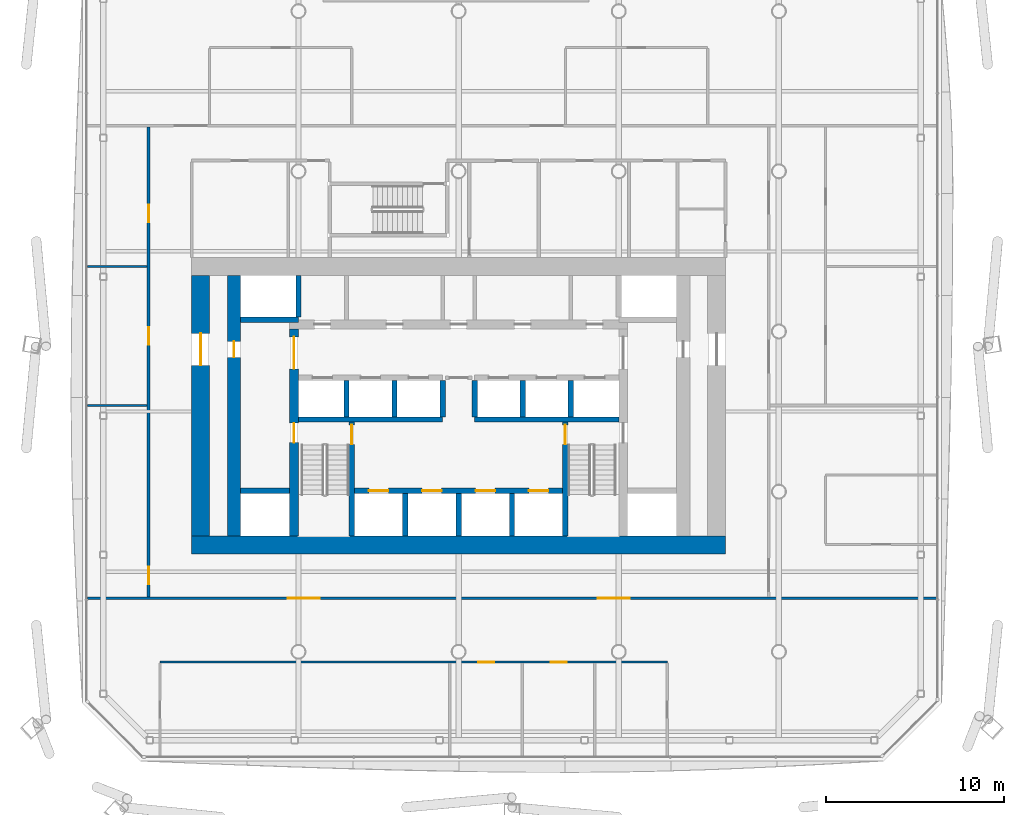
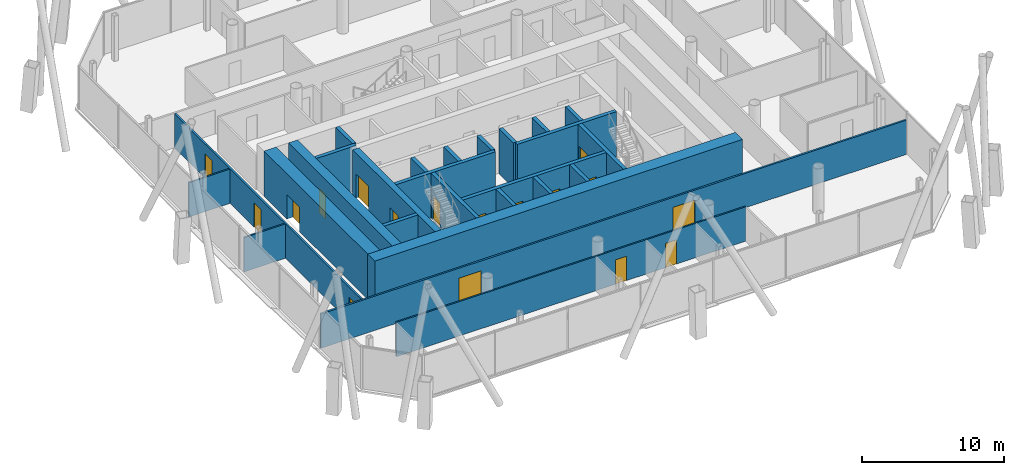
# One storey, part 14 of 22: 26 walls, 17 doors, 17 openings.
"""IFC4 building model written with IfcOpenShell, lengths in metres."""

from ifc_helpers import new_model, si_unit, direction, frame, frame_2d, origin, place, context, subcontext, project, spatial, rectangle, extrude, material, layer, layer_set, type_object, element, fill, save


model = new_model("IFC4")

# Units and contexts
model_context = context("Model", 3, precision=1e-05, world=origin(), true_north=direction((0.0, 1.0)))
body_context = subcontext(model_context, "Body", "Model", "MODEL_VIEW")
ifc_project = project(units=[si_unit("LENGTHUNIT", "METRE"), si_unit("AREAUNIT", "SQUARE_METRE"), si_unit("VOLUMEUNIT", "CUBIC_METRE"), si_unit("PLANEANGLEUNIT", "RADIAN"), si_unit("MASSUNIT", "GRAM", prefix="KILO")], contexts=[model_context])

# Site, building, storey
site_placement = place(None, origin())
site = spatial("IfcSite", under=ifc_project, at=site_placement, CompositionType="ELEMENT")
building_placement = place(site_placement, origin())
building = spatial("IfcBuilding", under=site, at=building_placement, Name="Tskaro Facet Tower", CompositionType="ELEMENT")
storey_placement = place(building_placement, frame((0.0, 0.0, 97.199951171875)))
storey = spatial("IfcBuildingStorey", under=building, at=storey_placement, Name="L23", CompositionType="ELEMENT", Elevation=97.199951171875)

# Wall
ifc_material_1 = material(Name="Concrete C60/75", Category="concrete")
ifc_layer_1 = layer(ifc_material_1, 0.300048828125, Name="Concrete C60/75")
ifc_layer_set_1 = layer_set([ifc_layer_1], Name="Concrete C60/75")
wall_type_1 = type_object("IfcWallType", Name="CORE-SHAFT", PredefinedType="SHEAR", material=ifc_layer_set_1)
wall_1_placement = place(storey_placement, frame((-12.25, -8.949951171875, 0.0), z_axis=(0.0, 0.0, 1.0), x_axis=(1.0, 0.0, 0.0)))
element("IfcWall", 1, at=wall_1_placement, inside=storey, type_object=wall_type_1, Name="Shaft wall W004", PredefinedType="SHEAR", context=body_context, shape_type="SweptSolid", body=[
    extrude(rectangle(XDim=2.75, YDim=0.300048828125, at=frame_2d((1.375, 0.0))), origin(), (0.0, 0.0, 1.0), 3.900146484375),
])

# Wall, openings, doors
wall_2_placement = place(storey_placement, frame((-5.85009765625, -8.949951171875, 0.0), z_axis=(0.0, 0.0, 1.0), x_axis=(1.0, 0.0, 0.0)))
wall_2 = element("IfcWall", 2, at=wall_2_placement, inside=storey, type_object=wall_type_1, Name="Shaft wall W005", PredefinedType="SHEAR", context=body_context, shape_type="SweptSolid", body=[
    extrude(rectangle(XDim=11.7001953125, YDim=0.300048828125, at=frame_2d((5.85009765625, 0.0))), origin(), (0.0, 0.0, 1.0), 3.900146484375),
])
opening_1_placement = place(wall_2_placement, frame((0.800048828125, 0.0, 0.0)))
opening_1 = element("IfcOpeningElement", 3, at=opening_1_placement, cuts=wall_2, Name="Opening LD-FF1", PredefinedType="OPENING", context=body_context, shape_type="SweptSolid", body=[
    extrude(rectangle(XDim=1.10009765625, YDim=2.10009765625, at=frame_2d((0.550048828125, 1.050048828125))), frame((0.0, 0.159912109375, 0.0), z_axis=(0.0, -1.0, 0.0), x_axis=(1.0, 0.0, 0.0)), (0.0, 0.0, 1.0), 0.320068359375),
])
opening_2_placement = place(wall_2_placement, frame((3.800048828125, 0.0, 0.0)))
opening_2 = element("IfcOpeningElement", 4, at=opening_2_placement, cuts=wall_2, Name="Opening LD-FF2", PredefinedType="OPENING", context=body_context, shape_type="SweptSolid", body=[
    extrude(rectangle(XDim=1.10009765625, YDim=2.10009765625, at=frame_2d((0.550048828125, 1.050048828125))), frame((0.0, 0.159912109375, 0.0), z_axis=(0.0, -1.0, 0.0), x_axis=(1.0, 0.0, 0.0)), (0.0, 0.0, 1.0), 0.320068359375),
])
opening_3_placement = place(wall_2_placement, frame((6.800048828125, 0.0, 0.0)))
opening_3 = element("IfcOpeningElement", 5, at=opening_3_placement, cuts=wall_2, Name="Opening LD-SV1", PredefinedType="OPENING", context=body_context, shape_type="SweptSolid", body=[
    extrude(rectangle(XDim=1.10009765625, YDim=2.10009765625, at=frame_2d((0.550048828125, 1.050048828125))), frame((0.0, 0.159912109375, 0.0), z_axis=(0.0, -1.0, 0.0), x_axis=(1.0, 0.0, 0.0)), (0.0, 0.0, 1.0), 0.320068359375),
])
opening_4_placement = place(wall_2_placement, frame((9.800048828125, 0.0, 0.0)))
opening_4 = element("IfcOpeningElement", 6, at=opening_4_placement, cuts=wall_2, Name="Opening LD-SV2", PredefinedType="OPENING", context=body_context, shape_type="SweptSolid", body=[
    extrude(rectangle(XDim=1.10009765625, YDim=2.10009765625, at=frame_2d((0.550048828125, 1.050048828125))), frame((0.0, 0.159912109375, 0.0), z_axis=(0.0, -1.0, 0.0), x_axis=(1.0, 0.0, 0.0)), (0.0, 0.0, 1.0), 0.320068359375),
])
ifc_material_2 = material(Name="Stainless steel", Category="steel")
door_type_1 = type_object("IfcDoorType", Name="D-LANDING", OperationType="NOTDEFINED", PredefinedType="DOOR", material=ifc_material_2)
door_1_placement = place(opening_1_placement, origin())
door_1 = element("IfcDoor", 7, at=door_1_placement, inside=storey, type_object=door_type_1, Name="Landing door FF1", OperationType="DOUBLE_DOOR_SLIDING", OverallHeight=2.10009765625, OverallWidth=1.10009765625, PredefinedType="DOOR", context=body_context, shape_type="SweptSolid", body=[
    extrude(rectangle(XDim=1.10009765625, YDim=2.10009765625, at=frame_2d((0.550048828125, 1.050048828125))), frame((0.0, 0.02490234375, 0.0), z_axis=(0.0, -1.0, 0.0), x_axis=(1.0, 0.0, 0.0)), (0.0, 0.0, 1.0), 0.050048828125),
])
fill(opening_1, door_1)
door_2_placement = place(opening_2_placement, origin())
door_2 = element("IfcDoor", 8, at=door_2_placement, inside=storey, type_object=door_type_1, Name="Landing door FF2", OperationType="DOUBLE_DOOR_SLIDING", OverallHeight=2.10009765625, OverallWidth=1.10009765625, PredefinedType="DOOR", context=body_context, shape_type="SweptSolid", body=[
    extrude(rectangle(XDim=1.10009765625, YDim=2.10009765625, at=frame_2d((0.550048828125, 1.050048828125))), frame((0.0, 0.02490234375, 0.0), z_axis=(0.0, -1.0, 0.0), x_axis=(1.0, 0.0, 0.0)), (0.0, 0.0, 1.0), 0.050048828125),
])
fill(opening_2, door_2)
door_3_placement = place(opening_3_placement, origin())
door_3 = element("IfcDoor", 9, at=door_3_placement, inside=storey, type_object=door_type_1, Name="Landing door SV1", OperationType="DOUBLE_DOOR_SLIDING", OverallHeight=2.10009765625, OverallWidth=1.10009765625, PredefinedType="DOOR", context=body_context, shape_type="SweptSolid", body=[
    extrude(rectangle(XDim=1.10009765625, YDim=2.10009765625, at=frame_2d((0.550048828125, 1.050048828125))), frame((0.0, 0.02490234375, 0.0), z_axis=(0.0, -1.0, 0.0), x_axis=(1.0, 0.0, 0.0)), (0.0, 0.0, 1.0), 0.050048828125),
])
fill(opening_3, door_3)
door_4_placement = place(opening_4_placement, origin())
door_4 = element("IfcDoor", 10, at=door_4_placement, inside=storey, type_object=door_type_1, Name="Landing door SV2", OperationType="DOUBLE_DOOR_SLIDING", OverallHeight=2.10009765625, OverallWidth=1.10009765625, PredefinedType="DOOR", context=body_context, shape_type="SweptSolid", body=[
    extrude(rectangle(XDim=1.10009765625, YDim=2.10009765625, at=frame_2d((0.550048828125, 1.050048828125))), frame((0.0, 0.02490234375, 0.0), z_axis=(0.0, -1.0, 0.0), x_axis=(1.0, 0.0, 0.0)), (0.0, 0.0, 1.0), 0.050048828125),
])
fill(opening_4, door_4)

# Walls
for number, where, z_axis, x_axis, name in (
    (11, (-9.0, -4.949951171875, 0.0), (0.0, 0.0, 1.0), (1.0, 0.0, 0.0), "Shaft wall W008"),
    (12, (0.89990234375, -4.949951171875, 0.0), (0.0, 0.0, 1.0), (1.0, 0.0, 0.0), "Shaft wall W009"),
):
    element("IfcWall", number, at=place(storey_placement, frame(where, z_axis=z_axis, x_axis=x_axis)), inside=storey, type_object=wall_type_1, Name=name, PredefinedType="SHEAR", context=body_context, shape_type="SweptSolid", body=[
        extrude(rectangle(XDim=8.10009765625, YDim=0.300048828125, at=frame_2d((4.050048828125, 0.0))), origin(), (0.0, 0.0, 1.0), 3.900146484375),
    ])
wall_3_placement = place(storey_placement, frame((-9.0, 0.64990234375, 0.0), z_axis=(0.0, 0.0, 1.0), x_axis=(-1.0, 0.0, 0.0)))
element("IfcWall", 13, at=wall_3_placement, inside=storey, type_object=wall_type_1, Name="Shaft wall W015", PredefinedType="SHEAR", context=body_context, shape_type="SweptSolid", body=[
    extrude(rectangle(XDim=3.25, YDim=0.300048828125, at=frame_2d((1.625, 0.0))), origin(), (0.0, 0.0, 1.0), 3.900146484375),
])
wall_4_placement = place(storey_placement, frame((-9.0, 0.800048828125, 0.0), z_axis=(0.0, 0.0, 1.0), x_axis=(0.0, 1.0, 0.0)))
element("IfcWall", 14, at=wall_4_placement, inside=storey, type_object=wall_type_1, Name="Shaft wall W034", PredefinedType="SHEAR", context=body_context, shape_type="SweptSolid", body=[
    extrude(rectangle(XDim=2.349853515625, YDim=0.300048828125, at=frame_2d((1.1748046875, 0.0))), origin(), (0.0, 0.0, 1.0), 3.900146484375),
])
wall_5_placement = place(storey_placement, frame((-6.300048828125, -4.800048828125, 0.0), z_axis=(0.0, 0.0, 1.0), x_axis=(0.0, 1.0, 0.0)))
element("IfcWall", 15, at=wall_5_placement, inside=storey, type_object=wall_type_1, Name="Shaft wall W039", PredefinedType="SHEAR", context=body_context, shape_type="SweptSolid", body=[
    extrude(rectangle(XDim=2.050048828125, YDim=0.300048828125, at=frame_2d((1.02490234375, 0.0))), origin(), (0.0, 0.0, 1.0), 3.900146484375),
])

# Wall, opening, door
wall_6_placement = place(storey_placement, frame((-6.0, -11.5, 0.0), z_axis=(0.0, 0.0, 1.0), x_axis=(0.0, 1.0, 0.0)))
wall_6 = element("IfcWall", 16, at=wall_6_placement, inside=storey, type_object=wall_type_1, Name="Shaft wall W041", PredefinedType="SHEAR", context=body_context, shape_type="SweptSolid", body=[
    extrude(rectangle(XDim=6.39990234375, YDim=0.300048828125, at=frame_2d((3.199951171875, 0.0))), origin(), (0.0, 0.0, 1.0), 3.900146484375),
])
opening_5_placement = place(wall_6_placement, frame((5.14990234375, 0.0, 0.0)))
opening_5 = element("IfcOpeningElement", 17, at=opening_5_placement, cuts=wall_6, Name="Opening ST-1-D1", PredefinedType="OPENING", context=body_context, shape_type="SweptSolid", body=[
    extrude(rectangle(XDim=1.10009765625, YDim=2.10009765625, at=frame_2d((0.550048828125, 1.050048828125))), frame((0.0, 0.159912109375, 0.0), z_axis=(0.0, -1.0, 0.0), x_axis=(1.0, 0.0, 0.0)), (0.0, 0.0, 1.0), 0.320068359375),
])
ifc_material_3 = material(Name="Steel", Category="steel")
door_type_2 = type_object("IfcDoorType", Name="D-STAIR", OperationType="NOTDEFINED", PredefinedType="DOOR", material=ifc_material_3)
door_5_placement = place(opening_5_placement, origin())
door_5 = element("IfcDoor", 18, at=door_5_placement, inside=storey, type_object=door_type_2, Name="Stair door 1", OperationType="SINGLE_SWING_LEFT", OverallHeight=2.10009765625, OverallWidth=1.10009765625, PredefinedType="DOOR", context=body_context, shape_type="SweptSolid", body=[
    extrude(rectangle(XDim=1.10009765625, YDim=2.10009765625, at=frame_2d((0.550048828125, 1.050048828125))), frame((0.0, 0.02490234375, 0.0), z_axis=(0.0, -1.0, 0.0), x_axis=(1.0, 0.0, 0.0)), (0.0, 0.0, 1.0), 0.050048828125),
])
fill(opening_5, door_5)

# Walls
wall_7_placement = place(storey_placement, frame((-3.60009765625, -4.800048828125, 0.0), z_axis=(0.0, 0.0, 1.0), x_axis=(0.0, 1.0, 0.0)))
element("IfcWall", 19, at=wall_7_placement, inside=storey, type_object=wall_type_1, Name="Shaft wall W043", PredefinedType="SHEAR", context=body_context, shape_type="SweptSolid", body=[
    extrude(rectangle(XDim=2.050048828125, YDim=0.300048828125, at=frame_2d((1.02490234375, 0.0))), origin(), (0.0, 0.0, 1.0), 3.900146484375),
])
wall_8_placement = place(storey_placement, frame((-3.0, -11.5, 0.0), z_axis=(0.0, 0.0, 1.0), x_axis=(0.0, 1.0, 0.0)))
element("IfcWall", 20, at=wall_8_placement, inside=storey, type_object=wall_type_1, Name="Shaft wall W044", PredefinedType="SHEAR", context=body_context, shape_type="SweptSolid", body=[
    extrude(rectangle(XDim=2.39990234375, YDim=0.300048828125, at=frame_2d((1.199951171875, 0.0))), origin(), (0.0, 0.0, 1.0), 3.900146484375),
])
wall_9_placement = place(storey_placement, frame((-0.89990234375, -4.800048828125, 0.0), z_axis=(0.0, 0.0, 1.0), x_axis=(0.0, 1.0, 0.0)))
element("IfcWall", 21, at=wall_9_placement, inside=storey, type_object=wall_type_1, Name="Shaft wall W045", PredefinedType="SHEAR", context=body_context, shape_type="SweptSolid", body=[
    extrude(rectangle(XDim=2.050048828125, YDim=0.300048828125, at=frame_2d((1.02490234375, 0.0))), origin(), (0.0, 0.0, 1.0), 3.900146484375),
])
wall_10_placement = place(storey_placement, frame((0.0, -11.5, 0.0), z_axis=(0.0, 0.0, 1.0), x_axis=(0.0, 1.0, 0.0)))
element("IfcWall", 22, at=wall_10_placement, inside=storey, type_object=wall_type_1, Name="Shaft wall W050", PredefinedType="SHEAR", context=body_context, shape_type="SweptSolid", body=[
    extrude(rectangle(XDim=2.39990234375, YDim=0.300048828125, at=frame_2d((1.199951171875, 0.0))), origin(), (0.0, 0.0, 1.0), 3.900146484375),
])
wall_11_placement = place(storey_placement, frame((0.89990234375, -4.800048828125, 0.0), z_axis=(0.0, 0.0, 1.0), x_axis=(0.0, 1.0, 0.0)))
element("IfcWall", 23, at=wall_11_placement, inside=storey, type_object=wall_type_1, Name="Shaft wall W052", PredefinedType="SHEAR", context=body_context, shape_type="SweptSolid", body=[
    extrude(rectangle(XDim=2.050048828125, YDim=0.300048828125, at=frame_2d((1.02490234375, 0.0))), origin(), (0.0, 0.0, 1.0), 3.900146484375),
])
wall_12_placement = place(storey_placement, frame((3.0, -11.5, 0.0), z_axis=(0.0, 0.0, 1.0), x_axis=(0.0, 1.0, 0.0)))
element("IfcWall", 24, at=wall_12_placement, inside=storey, type_object=wall_type_1, Name="Shaft wall W054", PredefinedType="SHEAR", context=body_context, shape_type="SweptSolid", body=[
    extrude(rectangle(XDim=2.39990234375, YDim=0.300048828125, at=frame_2d((1.199951171875, 0.0))), origin(), (0.0, 0.0, 1.0), 3.900146484375),
])
wall_13_placement = place(storey_placement, frame((3.60009765625, -4.800048828125, 0.0), z_axis=(0.0, 0.0, 1.0), x_axis=(0.0, 1.0, 0.0)))
element("IfcWall", 25, at=wall_13_placement, inside=storey, type_object=wall_type_1, Name="Shaft wall W056", PredefinedType="SHEAR", context=body_context, shape_type="SweptSolid", body=[
    extrude(rectangle(XDim=2.050048828125, YDim=0.300048828125, at=frame_2d((1.02490234375, 0.0))), origin(), (0.0, 0.0, 1.0), 3.900146484375),
])

# Wall, opening, door
wall_14_placement = place(storey_placement, frame((6.0, -5.10009765625, 0.0), z_axis=(0.0, 0.0, 1.0), x_axis=(0.0, -1.0, 0.0)))
wall_14 = element("IfcWall", 26, at=wall_14_placement, inside=storey, type_object=wall_type_1, Name="Shaft wall W058", PredefinedType="SHEAR", context=body_context, shape_type="SweptSolid", body=[
    extrude(rectangle(XDim=6.39990234375, YDim=0.300048828125, at=frame_2d((3.199951171875, 0.0))), origin(), (0.0, 0.0, 1.0), 3.900146484375),
])
opening_6_placement = place(wall_14_placement, frame((0.14990234375, 0.0, 0.0)))
opening_6 = element("IfcOpeningElement", 27, at=opening_6_placement, cuts=wall_14, Name="Opening ST-2-D1", PredefinedType="OPENING", context=body_context, shape_type="SweptSolid", body=[
    extrude(rectangle(XDim=1.10009765625, YDim=2.10009765625, at=frame_2d((0.550048828125, 1.050048828125))), frame((0.0, 0.159912109375, 0.0), z_axis=(0.0, -1.0, 0.0), x_axis=(1.0, 0.0, 0.0)), (0.0, 0.0, 1.0), 0.320068359375),
])
door_6_placement = place(opening_6_placement, origin())
door_6 = element("IfcDoor", 28, at=door_6_placement, inside=storey, type_object=door_type_2, Name="Stair door 2", OperationType="SINGLE_SWING_RIGHT", OverallHeight=2.10009765625, OverallWidth=1.10009765625, PredefinedType="DOOR", context=body_context, shape_type="SweptSolid", body=[
    extrude(rectangle(XDim=1.10009765625, YDim=2.10009765625, at=frame_2d((0.550048828125, 1.050048828125))), frame((0.0, 0.02490234375, 0.0), z_axis=(0.0, -1.0, 0.0), x_axis=(1.0, 0.0, 0.0)), (0.0, 0.0, 1.0), 0.050048828125),
])
fill(opening_6, door_6)

# Walls
wall_15_placement = place(storey_placement, frame((6.300048828125, -4.800048828125, 0.0), z_axis=(0.0, 0.0, 1.0), x_axis=(0.0, 1.0, 0.0)))
element("IfcWall", 29, at=wall_15_placement, inside=storey, type_object=wall_type_1, Name="Shaft wall W060", PredefinedType="SHEAR", context=body_context, shape_type="SweptSolid", body=[
    extrude(rectangle(XDim=2.050048828125, YDim=0.300048828125, at=frame_2d((1.02490234375, 0.0))), origin(), (0.0, 0.0, 1.0), 3.900146484375),
])
ifc_layer_2 = layer(ifc_material_1, 1.0, Name="Concrete C60/75")
ifc_layer_set_2 = layer_set([ifc_layer_2], Name="Concrete C60/75")
wall_type_2 = type_object("IfcWallType", Name="Core wall 1000", PredefinedType="SHEAR", material=ifc_layer_set_2)
wall_16_placement = place(storey_placement, frame((-15.0, -12.0, 0.0), z_axis=(0.0, 0.0, 1.0), x_axis=(1.0, 0.0, 0.0)))
element("IfcWall", 30, at=wall_16_placement, inside=storey, type_object=wall_type_2, Name="Core wall CW-Z1S", PredefinedType="SHEAR", context=body_context, shape_type="SweptSolid", body=[
    extrude(rectangle(XDim=30.0, YDim=1.0, at=frame_2d((15.0, 0.0))), origin(), (0.0, 0.0, 1.0), 3.900146484375),
])

# Wall, opening, door
wall_17_placement = place(storey_placement, frame((-14.5, -11.5, 0.0), z_axis=(0.0, 0.0, 1.0), x_axis=(0.0, 1.0, 0.0)))
wall_17 = element("IfcWall", 31, at=wall_17_placement, inside=storey, type_object=wall_type_2, Name="Core wall CW-Z1W", PredefinedType="SHEAR", context=body_context, shape_type="SweptSolid", body=[
    extrude(rectangle(XDim=14.64990234375, YDim=1.0, at=frame_2d((7.324951171875, 0.0))), origin(), (0.0, 0.0, 1.0), 3.900146484375),
])
opening_7_placement = place(wall_17_placement, frame((9.60009765625, 0.0, 0.0)))
opening_7 = element("IfcOpeningElement", 32, at=opening_7_placement, cuts=wall_17, Name="Opening T7-D15", PredefinedType="OPENING", context=body_context, shape_type="SweptSolid", body=[
    extrude(rectangle(XDim=1.800048828125, YDim=2.10009765625, at=frame_2d((0.89990234375, 1.050048828125))), frame((0.0, 0.510009765625, 0.0), z_axis=(0.0, -1.0, 0.0), x_axis=(1.0, 0.0, 0.0)), (0.0, 0.0, 1.0), 1.02001953125),
])
door_type_3 = type_object("IfcDoorType", Name="D-CORE-PAIR", OperationType="NOTDEFINED", PredefinedType="DOOR", material=ifc_material_3)
door_7_placement = place(opening_7_placement, origin())
door_7 = element("IfcDoor", 33, at=door_7_placement, inside=storey, type_object=door_type_3, Name="Door T7-D15", OperationType="DOUBLE_DOOR_SINGLE_SWING", OverallHeight=2.10009765625, OverallWidth=1.800048828125, PredefinedType="DOOR", context=body_context, shape_type="SweptSolid", body=[
    extrude(rectangle(XDim=1.800048828125, YDim=2.10009765625, at=frame_2d((0.89990234375, 1.050048828125))), frame((0.0, 0.02490234375, 0.0), z_axis=(0.0, -1.0, 0.0), x_axis=(1.0, 0.0, 0.0)), (0.0, 0.0, 1.0), 0.050048828125),
])
fill(opening_7, door_7)

# Wall, openings, doors
ifc_material_4 = material(Name="Concrete C40/50", Category="concrete")
ifc_layer_3 = layer(ifc_material_4, 0.5, Name="Concrete C40/50")
ifc_layer_set_3 = layer_set([ifc_layer_3], Name="Concrete C40/50")
wall_type_3 = type_object("IfcWallType", Name="Core wall 500", PredefinedType="SHEAR", material=ifc_layer_set_3)
wall_18_placement = place(storey_placement, frame((-9.25, -11.5, 0.0), z_axis=(0.0, 0.0, 1.0), x_axis=(0.0, 1.0, 0.0)))
wall_18 = element("IfcWall", 34, at=wall_18_placement, inside=storey, type_object=wall_type_3, Name="Core wall CW-Z3W", PredefinedType="SHEAR", context=body_context, shape_type="SweptSolid", body=[
    extrude(rectangle(XDim=11.64990234375, YDim=0.5, at=frame_2d((5.824951171875, 0.0))), origin(), (0.0, 0.0, 1.0), 3.900146484375),
])
opening_8_placement = place(wall_18_placement, frame((9.39990234375, 0.0, 0.0)))
opening_8 = element("IfcOpeningElement", 35, at=opening_8_placement, cuts=wall_18, Name="Opening T7-D13", PredefinedType="OPENING", context=body_context, shape_type="SweptSolid", body=[
    extrude(rectangle(XDim=1.800048828125, YDim=2.10009765625, at=frame_2d((0.89990234375, 1.050048828125))), frame((0.0, 0.260009765625, 0.0), z_axis=(0.0, -1.0, 0.0), x_axis=(1.0, 0.0, 0.0)), (0.0, 0.0, 1.0), 0.52001953125),
])
opening_9_placement = place(wall_18_placement, frame((5.25, 0.0, 0.0)))
opening_9 = element("IfcOpeningElement", 36, at=opening_9_placement, cuts=wall_18, Name="Opening ST-1-D2", PredefinedType="OPENING", context=body_context, shape_type="SweptSolid", body=[
    extrude(rectangle(XDim=1.10009765625, YDim=2.10009765625, at=frame_2d((0.550048828125, 1.050048828125))), frame((0.0, 0.260009765625, 0.0), z_axis=(0.0, -1.0, 0.0), x_axis=(1.0, 0.0, 0.0)), (0.0, 0.0, 1.0), 0.52001953125),
])
door_8_placement = place(opening_8_placement, origin())
door_8 = element("IfcDoor", 37, at=door_8_placement, inside=storey, type_object=door_type_3, Name="Door T7-D13", OperationType="DOUBLE_DOOR_SINGLE_SWING", OverallHeight=2.10009765625, OverallWidth=1.800048828125, PredefinedType="DOOR", context=body_context, shape_type="SweptSolid", body=[
    extrude(rectangle(XDim=1.800048828125, YDim=2.10009765625, at=frame_2d((0.89990234375, 1.050048828125))), frame((0.0, 0.02490234375, 0.0), z_axis=(0.0, -1.0, 0.0), x_axis=(1.0, 0.0, 0.0)), (0.0, 0.0, 1.0), 0.050048828125),
])
fill(opening_8, door_8)
door_9_placement = place(opening_9_placement, origin())
door_9 = element("IfcDoor", 38, at=door_9_placement, inside=storey, type_object=door_type_2, Name="Stair door 1 west", OperationType="SINGLE_SWING_LEFT", OverallHeight=2.10009765625, OverallWidth=1.10009765625, PredefinedType="DOOR", context=body_context, shape_type="SweptSolid", body=[
    extrude(rectangle(XDim=1.10009765625, YDim=2.10009765625, at=frame_2d((0.550048828125, 1.050048828125))), frame((0.0, 0.02490234375, 0.0), z_axis=(0.0, -1.0, 0.0), x_axis=(1.0, 0.0, 0.0)), (0.0, 0.0, 1.0), 0.050048828125),
])
fill(opening_9, door_9)

# Wall, opening, door
ifc_material_5 = material(Name="Concrete C50/60", Category="concrete")
ifc_layer_4 = layer(ifc_material_5, 0.75, Name="Concrete C50/60")
ifc_layer_set_4 = layer_set([ifc_layer_4], Name="Concrete C50/60")
wall_type_4 = type_object("IfcWallType", Name="Core wall 750", PredefinedType="SHEAR", material=ifc_layer_set_4)
wall_19_placement = place(storey_placement, frame((-12.625, -11.5, 0.0), z_axis=(0.0, 0.0, 1.0), x_axis=(0.0, 1.0, 0.0)))
wall_19 = element("IfcWall", 39, at=wall_19_placement, inside=storey, type_object=wall_type_4, Name="Core wall CW-Z2W", PredefinedType="SHEAR", context=body_context, shape_type="SweptSolid", body=[
    extrude(rectangle(XDim=14.64990234375, YDim=0.75, at=frame_2d((7.324951171875, 0.0))), origin(), (0.0, 0.0, 1.0), 3.900146484375),
])
opening_10_placement = place(wall_19_placement, frame((10.050048828125, 0.0, 0.0)))
opening_10 = element("IfcOpeningElement", 40, at=opening_10_placement, cuts=wall_19, Name="Opening T7-D16", PredefinedType="OPENING", context=body_context, shape_type="SweptSolid", body=[
    extrude(rectangle(XDim=0.89990234375, YDim=2.10009765625, at=frame_2d((0.449951171875, 1.050048828125))), frame((0.0, 0.385009765625, 0.0), z_axis=(0.0, -1.0, 0.0), x_axis=(1.0, 0.0, 0.0)), (0.0, 0.0, 1.0), 0.77001953125),
])
ifc_material_6 = material(Name="Timber", Category="wood")
door_type_4 = type_object("IfcDoorType", Name="D-ROOM", OperationType="NOTDEFINED", PredefinedType="DOOR", material=ifc_material_6)
door_10_placement = place(opening_10_placement, origin())
door_10 = element("IfcDoor", 41, at=door_10_placement, inside=storey, type_object=door_type_4, Name="Door T7-D16", OperationType="SINGLE_SWING_LEFT", OverallHeight=2.10009765625, OverallWidth=0.89990234375, PredefinedType="DOOR", context=body_context, shape_type="SweptSolid", body=[
    extrude(rectangle(XDim=0.89990234375, YDim=2.10009765625, at=frame_2d((0.449951171875, 1.050048828125))), frame((0.0, 0.02490234375, 0.0), z_axis=(0.0, -1.0, 0.0), x_axis=(1.0, 0.0, 0.0)), (0.0, 0.0, 1.0), 0.050048828125),
])
fill(opening_10, door_10)

# Wall, openings, doors
ifc_material_7 = material(Name="Gypsum board on steel studs", Category="steel")
ifc_layer_5 = layer(ifc_material_7, 0.125, Name="Gypsum board on steel studs")
ifc_layer_set_5 = layer_set([ifc_layer_5], Name="Gypsum board on steel studs")
wall_type_5 = type_object("IfcWallType", Name="PART", PredefinedType="PARTITIONING", material=ifc_layer_set_5)
wall_20_placement = place(storey_placement, frame((11.72607421875, -18.580078125, 0.0), z_axis=(0.0, 0.0, 1.0), x_axis=(-1.0, 0.0, 0.0)))
wall_20 = element("IfcWall", 42, at=wall_20_placement, inside=storey, type_object=wall_type_5, Name="Partition W001", PredefinedType="PARTITIONING", context=body_context, shape_type="SweptSolid", body=[
    extrude(rectangle(XDim=28.510009765625, YDim=0.125, at=frame_2d((14.2548828125, 0.0))), origin(), (0.0, 0.0, 1.0), 2.9599609375),
])
opening_11_placement = place(wall_20_placement, frame((9.732421875, 0.0, 0.0)))
opening_11 = element("IfcOpeningElement", 43, at=opening_11_placement, cuts=wall_20, Name="Opening T7-D03", PredefinedType="OPENING", context=body_context, shape_type="SweptSolid", body=[
    extrude(rectangle(XDim=0.89990234375, YDim=2.10009765625, at=frame_2d((0.449951171875, 1.050048828125))), frame((0.0, 0.072509765625, 0.0), z_axis=(0.0, -1.0, 0.0), x_axis=(1.0, 0.0, 0.0)), (0.0, 0.0, 1.0), 0.14501953125),
])
opening_12_placement = place(wall_20_placement, frame((5.659423828125, 0.0, 0.0)))
opening_12 = element("IfcOpeningElement", 44, at=opening_12_placement, cuts=wall_20, Name="Opening T7-D04", PredefinedType="OPENING", context=body_context, shape_type="SweptSolid", body=[
    extrude(rectangle(XDim=0.89990234375, YDim=2.10009765625, at=frame_2d((0.449951171875, 1.050048828125))), frame((0.0, 0.072509765625, 0.0), z_axis=(0.0, -1.0, 0.0), x_axis=(1.0, 0.0, 0.0)), (0.0, 0.0, 1.0), 0.14501953125),
])
door_11_placement = place(opening_11_placement, origin())
door_11 = element("IfcDoor", 45, at=door_11_placement, inside=storey, type_object=door_type_4, Name="Door T7-D03", OperationType="SINGLE_SWING_RIGHT", OverallHeight=2.10009765625, OverallWidth=0.89990234375, PredefinedType="DOOR", context=body_context, shape_type="SweptSolid", body=[
    extrude(rectangle(XDim=0.89990234375, YDim=2.10009765625, at=frame_2d((0.449951171875, 1.050048828125))), frame((0.0, 0.02490234375, 0.0), z_axis=(0.0, -1.0, 0.0), x_axis=(1.0, 0.0, 0.0)), (0.0, 0.0, 1.0), 0.050048828125),
])
fill(opening_11, door_11)
door_12_placement = place(opening_12_placement, origin())
door_12 = element("IfcDoor", 46, at=door_12_placement, inside=storey, type_object=door_type_4, Name="Door T7-D04", OperationType="SINGLE_SWING_RIGHT", OverallHeight=2.10009765625, OverallWidth=0.89990234375, PredefinedType="DOOR", context=body_context, shape_type="SweptSolid", body=[
    extrude(rectangle(XDim=0.89990234375, YDim=2.10009765625, at=frame_2d((0.449951171875, 1.050048828125))), frame((0.0, 0.02490234375, 0.0), z_axis=(0.0, -1.0, 0.0), x_axis=(1.0, 0.0, 0.0)), (0.0, 0.0, 1.0), 0.050048828125),
])
fill(opening_12, door_12)

# Walls
for number, where, z_axis, x_axis, name in (
    (47, (-20.864990234375, -4.162109375, 0.0), (0.0, 0.0, 1.0), (1.0, 0.0, 0.0), "Partition W010"),
    (48, (-20.864990234375, 3.64794921875, 0.0), (0.0, 0.0, 1.0), (1.0, 0.0, 0.0), "Partition W017"),
):
    element("IfcWall", number, at=place(storey_placement, frame(where, z_axis=z_axis, x_axis=x_axis)), inside=storey, type_object=wall_type_5, Name=name, PredefinedType="PARTITIONING", context=body_context, shape_type="SweptSolid", body=[
        extrude(rectangle(XDim=3.364990234375, YDim=0.125, at=frame_2d((1.6826171875, 0.0))), origin(), (0.0, 0.0, 1.0), 2.9599609375),
    ])

# Wall, openings, doors
ifc_layer_6 = layer(ifc_material_7, 0.14990234375, Name="Gypsum board on steel studs")
ifc_layer_set_6 = layer_set([ifc_layer_6], Name="Gypsum board on steel studs")
wall_type_6 = type_object("IfcWallType", Name="PART-CORR", PredefinedType="PARTITIONING", material=ifc_layer_set_6)
wall_21_placement = place(storey_placement, frame((-20.864990234375, -15.0, 0.0), z_axis=(0.0, 0.0, 1.0), x_axis=(1.0, 0.0, 0.0)))
wall_21 = element("IfcWall", 49, at=wall_21_placement, inside=storey, type_object=wall_type_6, Name="Corridor wall W002", PredefinedType="PARTITIONING", context=body_context, shape_type="SweptSolid", body=[
    extrude(rectangle(XDim=47.72998046875, YDim=0.14990234375, at=frame_2d((23.864990234375, 0.0))), origin(), (0.0, 0.0, 1.0), 2.9599609375),
])
opening_13_placement = place(wall_21_placement, frame((11.251953125, 0.0, 0.0)))
opening_13 = element("IfcOpeningElement", 50, at=opening_13_placement, cuts=wall_21, Name="Opening T7-D05", PredefinedType="OPENING", context=body_context, shape_type="SweptSolid", body=[
    extrude(rectangle(XDim=1.800048828125, YDim=2.10009765625, at=frame_2d((0.89990234375, 1.050048828125))), frame((0.0, 0.0849609375, 0.0), z_axis=(0.0, -1.0, 0.0), x_axis=(1.0, 0.0, 0.0)), (0.0, 0.0, 1.0), 0.169921875),
])
opening_14_placement = place(wall_21_placement, frame((28.677978515625, 0.0, 0.0)))
opening_14 = element("IfcOpeningElement", 51, at=opening_14_placement, cuts=wall_21, Name="Opening T7-D06", PredefinedType="OPENING", context=body_context, shape_type="SweptSolid", body=[
    extrude(rectangle(XDim=1.800048828125, YDim=2.10009765625, at=frame_2d((0.89990234375, 1.050048828125))), frame((0.0, 0.0849609375, 0.0), z_axis=(0.0, -1.0, 0.0), x_axis=(1.0, 0.0, 0.0)), (0.0, 0.0, 1.0), 0.169921875),
])
ifc_material_8 = material(Name="Glass", Category="glass")
door_type_5 = type_object("IfcDoorType", Name="D-ENTRY-PAIR", OperationType="NOTDEFINED", PredefinedType="DOOR", material=ifc_material_8)
door_13_placement = place(opening_13_placement, origin())
door_13 = element("IfcDoor", 52, at=door_13_placement, inside=storey, type_object=door_type_5, Name="Door T7-D05", OperationType="DOUBLE_DOOR_SINGLE_SWING", OverallHeight=2.10009765625, OverallWidth=1.800048828125, PredefinedType="DOOR", context=body_context, shape_type="SweptSolid", body=[
    extrude(rectangle(XDim=1.800048828125, YDim=2.10009765625, at=frame_2d((0.89990234375, 1.050048828125))), frame((0.0, 0.02490234375, 0.0), z_axis=(0.0, -1.0, 0.0), x_axis=(1.0, 0.0, 0.0)), (0.0, 0.0, 1.0), 0.050048828125),
])
fill(opening_13, door_13)
door_14_placement = place(opening_14_placement, origin())
door_14 = element("IfcDoor", 53, at=door_14_placement, inside=storey, type_object=door_type_5, Name="Door T7-D06", OperationType="DOUBLE_DOOR_SINGLE_SWING", OverallHeight=2.10009765625, OverallWidth=1.800048828125, PredefinedType="DOOR", context=body_context, shape_type="SweptSolid", body=[
    extrude(rectangle(XDim=1.800048828125, YDim=2.10009765625, at=frame_2d((0.89990234375, 1.050048828125))), frame((0.0, 0.02490234375, 0.0), z_axis=(0.0, -1.0, 0.0), x_axis=(1.0, 0.0, 0.0)), (0.0, 0.0, 1.0), 0.050048828125),
])
fill(opening_14, door_14)

wall_22_placement = place(storey_placement, frame((-17.425048828125, -14.925048828125, 0.0), z_axis=(0.0, 0.0, 1.0), x_axis=(0.0, 1.0, 0.0)))
wall_22 = element("IfcWall", 54, at=wall_22_placement, inside=storey, type_object=wall_type_6, Name="Corridor wall W029", PredefinedType="PARTITIONING", context=body_context, shape_type="SweptSolid", body=[
    extrude(rectangle(XDim=26.405029296875, YDim=0.14990234375, at=frame_2d((13.20263671875, 0.0))), origin(), (0.0, 0.0, 1.0), 2.9599609375),
])
opening_15_placement = place(wall_22_placement, frame((0.71240234375, 0.0, 0.0)))
opening_15 = element("IfcOpeningElement", 55, at=opening_15_placement, cuts=wall_22, Name="Opening T7-D07", PredefinedType="OPENING", context=body_context, shape_type="SweptSolid", body=[
    extrude(rectangle(XDim=1.0, YDim=2.10009765625, at=frame_2d((0.5, 1.050048828125))), frame((0.0, 0.0849609375, 0.0), z_axis=(0.0, -1.0, 0.0), x_axis=(1.0, 0.0, 0.0)), (0.0, 0.0, 1.0), 0.169921875),
])
opening_16_placement = place(wall_22_placement, frame((14.16796875, 0.0, 0.0)))
opening_16 = element("IfcOpeningElement", 56, at=opening_16_placement, cuts=wall_22, Name="Opening T7-D19", PredefinedType="OPENING", context=body_context, shape_type="SweptSolid", body=[
    extrude(rectangle(XDim=1.0, YDim=2.10009765625, at=frame_2d((0.5, 1.050048828125))), frame((0.0, 0.0849609375, 0.0), z_axis=(0.0, -1.0, 0.0), x_axis=(1.0, 0.0, 0.0)), (0.0, 0.0, 1.0), 0.169921875),
])
opening_17_placement = place(wall_22_placement, frame((21.051513671875, 0.0, 0.0)))
opening_17 = element("IfcOpeningElement", 57, at=opening_17_placement, cuts=wall_22, Name="Opening T7-D30", PredefinedType="OPENING", context=body_context, shape_type="SweptSolid", body=[
    extrude(rectangle(XDim=1.0, YDim=2.10009765625, at=frame_2d((0.5, 1.050048828125))), frame((0.0, 0.0849609375, 0.0), z_axis=(0.0, -1.0, 0.0), x_axis=(1.0, 0.0, 0.0)), (0.0, 0.0, 1.0), 0.169921875),
])
door_type_6 = type_object("IfcDoorType", Name="D-ROOM-WIDE", OperationType="NOTDEFINED", PredefinedType="DOOR", material=ifc_material_6)
door_15_placement = place(opening_15_placement, origin())
door_15 = element("IfcDoor", 58, at=door_15_placement, inside=storey, type_object=door_type_6, Name="Door T7-D07", OperationType="SINGLE_SWING_LEFT", OverallHeight=2.10009765625, OverallWidth=1.0, PredefinedType="DOOR", context=body_context, shape_type="SweptSolid", body=[
    extrude(rectangle(XDim=1.0, YDim=2.10009765625, at=frame_2d((0.5, 1.050048828125))), frame((0.0, 0.02490234375, 0.0), z_axis=(0.0, -1.0, 0.0), x_axis=(1.0, 0.0, 0.0)), (0.0, 0.0, 1.0), 0.050048828125),
])
fill(opening_15, door_15)
door_16_placement = place(opening_16_placement, origin())
door_16 = element("IfcDoor", 59, at=door_16_placement, inside=storey, type_object=door_type_6, Name="Door T7-D19", OperationType="SINGLE_SWING_LEFT", OverallHeight=2.10009765625, OverallWidth=1.0, PredefinedType="DOOR", context=body_context, shape_type="SweptSolid", body=[
    extrude(rectangle(XDim=1.0, YDim=2.10009765625, at=frame_2d((0.5, 1.050048828125))), frame((0.0, 0.02490234375, 0.0), z_axis=(0.0, -1.0, 0.0), x_axis=(1.0, 0.0, 0.0)), (0.0, 0.0, 1.0), 0.050048828125),
])
fill(opening_16, door_16)
door_17_placement = place(opening_17_placement, origin())
door_17 = element("IfcDoor", 60, at=door_17_placement, inside=storey, type_object=door_type_6, Name="Door T7-D30", OperationType="SINGLE_SWING_LEFT", OverallHeight=2.10009765625, OverallWidth=1.0, PredefinedType="DOOR", context=body_context, shape_type="SweptSolid", body=[
    extrude(rectangle(XDim=1.0, YDim=2.10009765625, at=frame_2d((0.5, 1.050048828125))), frame((0.0, 0.02490234375, 0.0), z_axis=(0.0, -1.0, 0.0), x_axis=(1.0, 0.0, 0.0)), (0.0, 0.0, 1.0), 0.050048828125),
])
fill(opening_17, door_17)

save(model, "model.ifc")
